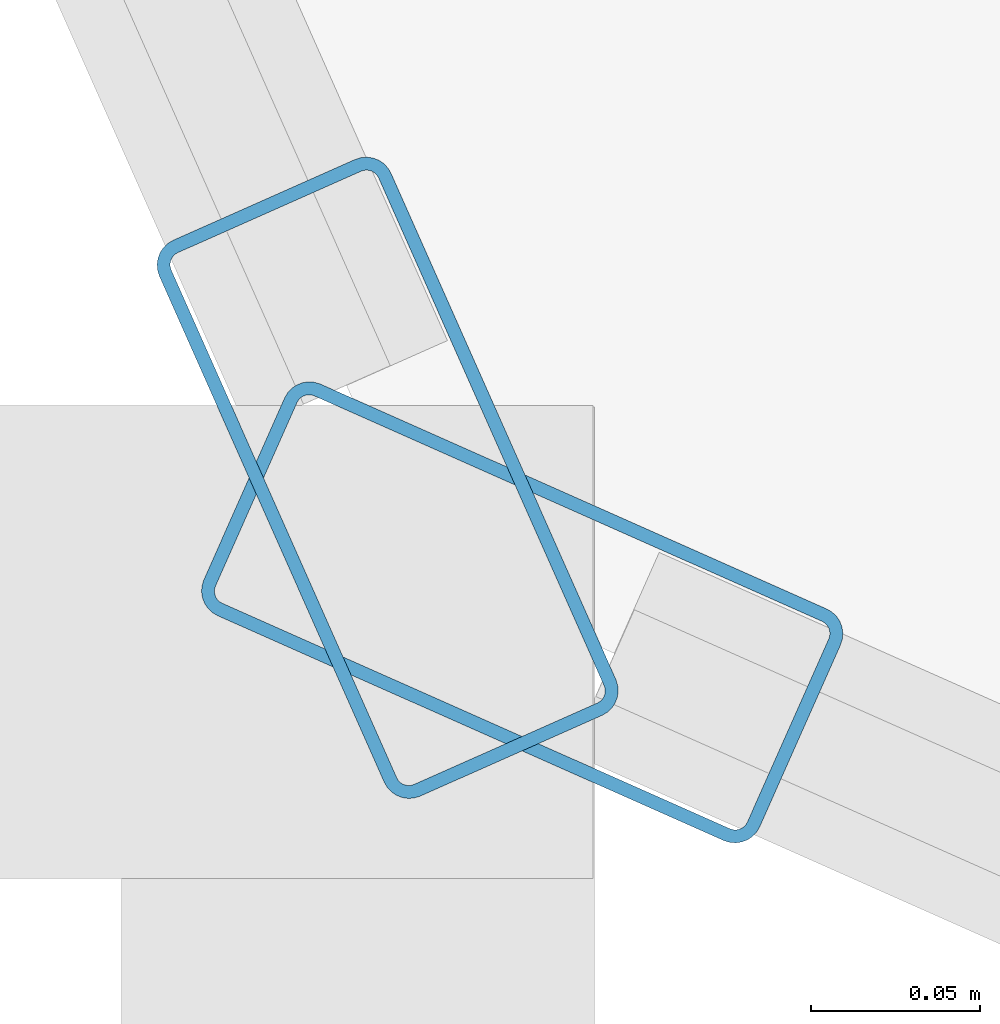
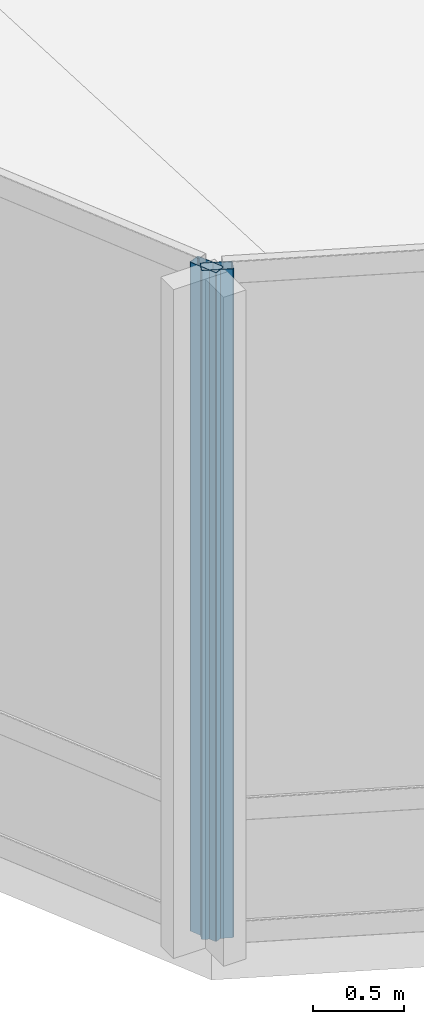
# One storey, part 2 of 42: 2 members, 2 elements without a shape of their own.
"""IFC4 building model written with IfcOpenShell, lengths in metres."""

from ifc_helpers import new_model, si_unit, direction, frame, origin, origin_2d, place, context, subcontext, project, spatial, hollow_rectangle, extrude, material, layer, layer_set, material_profile, profile_set, type_object, element, aggregate, save


model = new_model("IFC4")

# Units and contexts
model_context = context("Model", 3, precision=1e-05, world=origin(), true_north=direction((0.0, 1.0)))
body_context = subcontext(model_context, "Body", "Model", "MODEL_VIEW")
ifc_project = project(units=[si_unit("LENGTHUNIT", "METRE"), si_unit("AREAUNIT", "SQUARE_METRE"), si_unit("VOLUMEUNIT", "CUBIC_METRE"), si_unit("PLANEANGLEUNIT", "RADIAN"), si_unit("MASSUNIT", "GRAM", prefix="KILO")], contexts=[model_context])

# Site, building, storey
site_placement = place(None, origin())
site = spatial("IfcSite", under=ifc_project, at=site_placement, CompositionType="ELEMENT")
building_placement = place(site_placement, origin())
building = spatial("IfcBuilding", under=site, at=building_placement, Name="Solvaryn Broadcast Tower", CompositionType="ELEMENT")
storey_placement = place(building_placement, frame((0.0, 0.0, 100.199951171875)))
storey = spatial("IfcBuildingStorey", under=building, at=storey_placement, Name="L24", CompositionType="ELEMENT", Elevation=100.199951171875)

# Curtain wall, member
ifc_material_1 = material(Name="Aluminium and Terracotta Unitised Curtain Wall", Category="masonry")
ifc_layer = layer(ifc_material_1, 0.199951171875)
ifc_layer_set = layer_set([ifc_layer], Name="CW-SYS2-LOWMID")
curtain_wall_type = type_object("IfcCurtainWallType", Name="CW-SYS2-LOWMID", PredefinedType="NOTDEFINED", material=ifc_layer_set)
curtain_wall_1_placement = place(storey_placement, origin())
curtain_wall_1 = element("IfcCurtainWall", 1, at=curtain_wall_1_placement, inside=storey, type_object=curtain_wall_type, Name="L24 Curtain Wall DR2", PredefinedType="NOTDEFINED")
ifc_material_2 = material(Name="Anodised Aluminium 6063-T6", Category="aluminium")
ifc_material_profile = material_profile(ifc_material_2, hollow_rectangle(XDim=0.074951171875, YDim=0.179931640625, WallThickness=0.00390625, InnerFilletRadius=0.00390625, OuterFilletRadius=0.008056640625, at=origin_2d()))
ifc_profile_set = profile_set([ifc_material_profile], Name="Anodised Aluminium 6063-T6")
member_type = type_object("IfcMemberType", Name="CW-MUL-180", PredefinedType="MULLION", material=ifc_profile_set)
member_1_placement = place(storey_placement, frame((7.834716796875, 7.87451171875, 0.0), z_axis=(0.0, 0.0, 1.0), x_axis=(0.913918257271, 0.405898286554, 0.0)))
member_1 = element("IfcMember", 2, at=member_1_placement, type_object=member_type, Name="CWS2 mullion 3", PredefinedType="MULLION", context=body_context, shape_type="SweptSolid", body=[
    extrude(hollow_rectangle(XDim=0.074951171875, YDim=0.179931640625, WallThickness=0.00390625, InnerFilletRadius=0.00390625, OuterFilletRadius=0.008056640625, at=origin_2d()), origin(), (0.0, 0.0, 1.0), 4.469970703125),
])
aggregate(curtain_wall_1, [member_1])

curtain_wall_2_placement = place(storey_placement, origin())
curtain_wall_2 = element("IfcCurtainWall", 3, at=curtain_wall_2_placement, inside=storey, type_object=curtain_wall_type, Name="L24 Curtain Wall DR3", PredefinedType="NOTDEFINED")
member_2_placement = place(storey_placement, frame((7.87451171875, 7.834716796875, 0.0), z_axis=(0.0, 0.0, 1.0), x_axis=(0.405898286554, 0.913918257271, 0.0)))
member_2 = element("IfcMember", 4, at=member_2_placement, type_object=member_type, Name="CWS2 mullion 1", PredefinedType="MULLION", context=body_context, shape_type="SweptSolid", body=[
    extrude(hollow_rectangle(XDim=0.074951171875, YDim=0.179931640625, WallThickness=0.00390625, InnerFilletRadius=0.00390625, OuterFilletRadius=0.008056640625, at=origin_2d()), origin(), (0.0, 0.0, 1.0), 4.469970703125),
])
aggregate(curtain_wall_2, [member_2])

save(model, "model.ifc")
